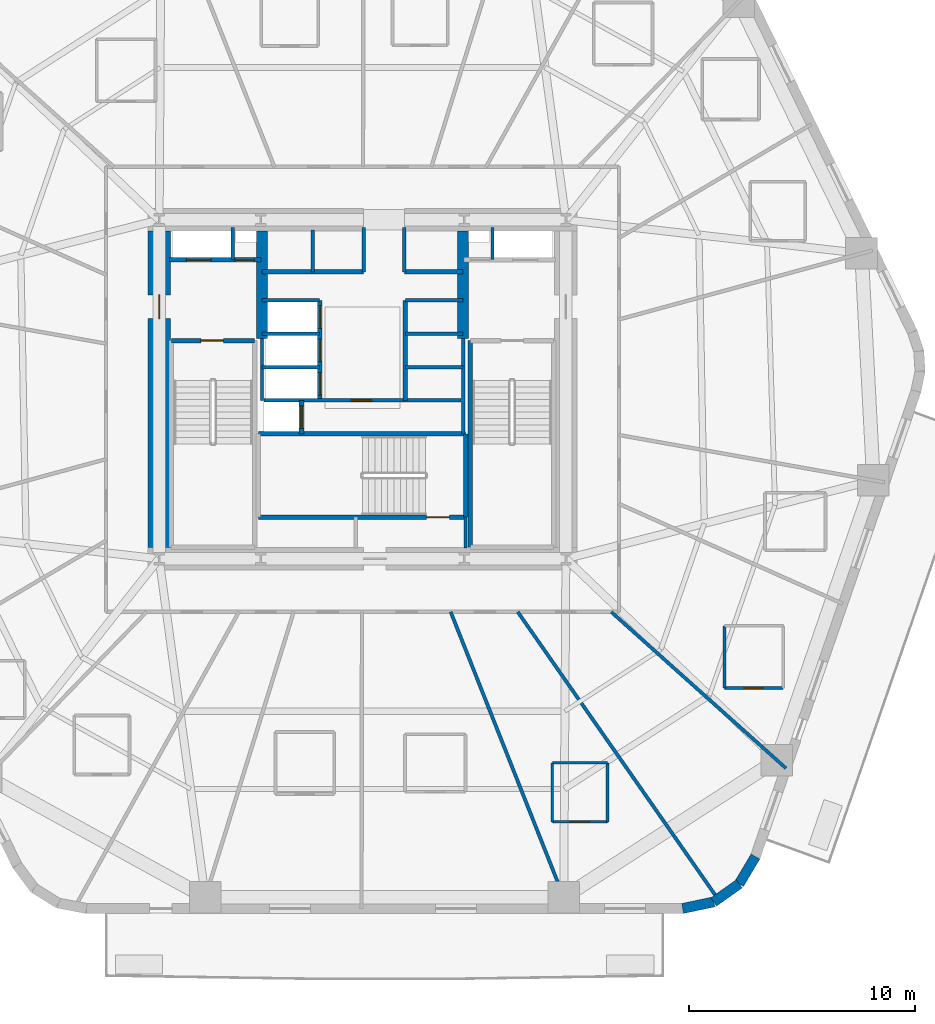
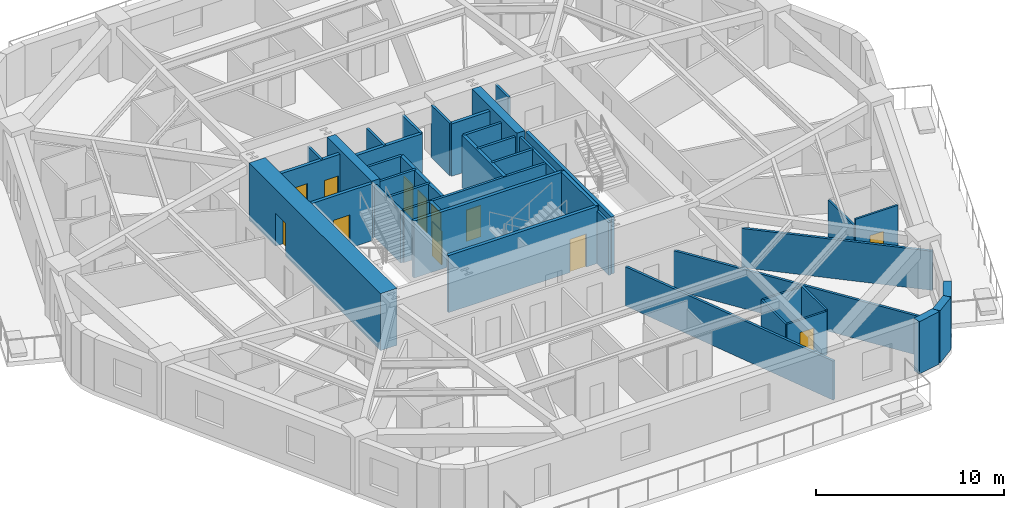
# One storey, part 4 of 11: 41 walls, 12 doors, 12 openings.
"""IFC4 building model written with IfcOpenShell, lengths in metres."""

from ifc_helpers import new_model, si_unit, direction, frame, frame_2d, origin, place, context, subcontext, project, spatial, rectangle, extrude, material, layer, layer_set, type_object, element, fill, save


model = new_model("IFC4")

# Units and contexts
model_context = context("Model", 3, precision=1e-05, world=origin(), true_north=direction((0.0, 1.0)))
body_context = subcontext(model_context, "Body", "Model", "MODEL_VIEW")
ifc_project = project(units=[si_unit("LENGTHUNIT", "METRE"), si_unit("AREAUNIT", "SQUARE_METRE"), si_unit("VOLUMEUNIT", "CUBIC_METRE"), si_unit("PLANEANGLEUNIT", "RADIAN"), si_unit("MASSUNIT", "GRAM", prefix="KILO")], contexts=[model_context])

# Site, building, storey
site_placement = place(None, origin())
site = spatial("IfcSite", under=ifc_project, at=site_placement, CompositionType="ELEMENT")
building_placement = place(site_placement, origin())
building = spatial("IfcBuilding", under=site, at=building_placement, Name="Kilnhurst Terrace Hotel", CompositionType="ELEMENT")
storey_placement = place(building_placement, frame((0.0, 0.0, 41.60009765625)))
storey = spatial("IfcBuildingStorey", under=building, at=storey_placement, Name="L08", CompositionType="ELEMENT", Elevation=41.60009765625)

# Walls
ifc_material_1 = material(Name="Precast concrete C40/50", Category="concrete")
ifc_layer_1 = layer(ifc_material_1, 0.449951171875, Name="Precast concrete C40/50")
ifc_layer_set_1 = layer_set([ifc_layer_1], Name="Precast concrete C40/50")
wall_type_1 = type_object("IfcWallType", Name="WL-BRK-450", PredefinedType="SOLIDWALL", material=ifc_layer_set_1)
wall_1_placement = place(storey_placement, frame((14.168212890625, -22.97509765625, 0.0), z_axis=(0.0, 0.0, 1.0), x_axis=(0.978770371074, 0.204959900243, 0.0)))
element("IfcWall", 1, at=wall_1_placement, inside=storey, type_object=wall_type_1, Name="L08 Rounded Corner Brick Wall C2.1", PredefinedType="SOLIDWALL", context=body_context, shape_type="SweptSolid", body=[
    extrude(rectangle(XDim=1.405517578125, YDim=0.449951171875, at=frame_2d((0.70263671875, 0.0))), origin(), (0.0, 0.0, 1.0), 3.39990234375),
])
wall_2_placement = place(storey_placement, frame((15.5439453125, -22.68701171875, 0.0), z_axis=(0.0, 0.0, 1.0), x_axis=(0.814210854316, 0.580569276412, 0.0)))
element("IfcWall", 2, at=wall_2_placement, inside=storey, type_object=wall_type_1, Name="L08 Rounded Corner Brick Wall C2.2", PredefinedType="SOLIDWALL", context=body_context, shape_type="SweptSolid", body=[
    extrude(rectangle(XDim=1.38134765625, YDim=0.449951171875, at=frame_2d((0.690673828125, 0.0))), origin(), (0.0, 0.0, 1.0), 3.39990234375),
])
wall_3_placement = place(storey_placement, frame((16.668701171875, -21.885009765625, 0.0), z_axis=(0.0, 0.0, 1.0), x_axis=(0.512936712947, 0.858426425799, 0.0)))
element("IfcWall", 3, at=wall_3_placement, inside=storey, type_object=wall_type_1, Name="L08 Rounded Corner Brick Wall C2.3", PredefinedType="SOLIDWALL", context=body_context, shape_type="SweptSolid", body=[
    extrude(rectangle(XDim=1.405517578125, YDim=0.449951171875, at=frame_2d((0.70263671875, 0.0))), origin(), (0.0, 0.0, 1.0), 3.39990234375),
])

# Wall, opening, door
ifc_material_2 = material(Name="Concrete C80/95", Category="concrete")
ifc_layer_2 = layer(ifc_material_2, 1.0, Name="Concrete C80/95")
ifc_layer_set_2 = layer_set([ifc_layer_2], Name="Concrete C80/95")
wall_type_2 = type_object("IfcWallType", Name="WL-CORE-1000", PredefinedType="SHEAR", material=ifc_layer_set_2)
wall_4_placement = place(storey_placement, frame((-9.0, -7.0, 0.0), z_axis=(0.0, 0.0, 1.0), x_axis=(0.0, 1.0, 0.0)))
wall_4 = element("IfcWall", 4, at=wall_4_placement, inside=storey, type_object=wall_type_2, Name="L08 Core West Shear Wall", PredefinedType="SHEAR", context=body_context, shape_type="SweptSolid", body=[
    extrude(rectangle(XDim=14.0, YDim=1.0, at=frame_2d((7.0, 0.0))), origin(), (0.0, 0.0, 1.0), 3.699951171875),
])
opening_1_placement = place(wall_4_placement, frame((10.125, 0.0, 0.0)))
opening_1 = element("IfcOpeningElement", 5, at=opening_1_placement, cuts=wall_4, Name="Opening D-90A", PredefinedType="OPENING", context=body_context, shape_type="SweptSolid", body=[
    extrude(rectangle(XDim=1.050048828125, YDim=2.14990234375, at=frame_2d((0.52490234375, 1.074951171875))), frame((0.0, 0.510009765625, 0.0), z_axis=(0.0, -1.0, 0.0), x_axis=(1.0, 0.0, 0.0)), (0.0, 0.0, 1.0), 1.02001953125),
])
ifc_material_3 = material(Name="Painted Hollow Metal Steel ASTM A36 Fire Door", Category="steel")
door_type_1 = type_object("IfcDoorType", Name="DR-FD90-1050", OperationType="NOTDEFINED", PredefinedType="DOOR", material=ifc_material_3)
door_1_placement = place(opening_1_placement, origin())
door_1 = element("IfcDoor", 6, at=door_1_placement, inside=storey, type_object=door_type_1, Name="L08 West Firefighting Lobby Door", OperationType="SINGLE_SWING_RIGHT", OverallHeight=2.14990234375, OverallWidth=1.050048828125, PredefinedType="DOOR", context=body_context, shape_type="SweptSolid", body=[
    extrude(rectangle(XDim=1.050048828125, YDim=2.14990234375, at=frame_2d((0.52490234375, 1.074951171875))), frame((0.0, 0.02490234375, 0.0), z_axis=(0.0, -1.0, 0.0), x_axis=(1.0, 0.0, 0.0)), (0.0, 0.0, 1.0), 0.050048828125),
])
fill(opening_1, door_1)

# Walls
ifc_material_4 = material(Name="Concrete C60/75", Category="concrete")
ifc_layer_3 = layer(ifc_material_4, 0.5, Name="Concrete C60/75")
ifc_layer_set_3 = layer_set([ifc_layer_3], Name="Concrete C60/75")
wall_type_3 = type_object("IfcWallType", Name="WL-CORE-WEB-500", PredefinedType="SHEAR", material=ifc_layer_set_3)
for number, where, z_axis, x_axis, name in (
    (7, (-4.449951171875, 2.25, 0.0), (0.0, 0.0, 1.0), (0.0, 1.0, 0.0), "L08 Core Internal West Shear Web"),
    (8, (4.449951171875, 2.25, 0.0), (0.0, 0.0, 1.0), (0.0, 1.0, 0.0), "L08 Core Internal East Shear Web"),
):
    element("IfcWall", number, at=place(storey_placement, frame(where, z_axis=z_axis, x_axis=x_axis)), inside=storey, type_object=wall_type_3, Name=name, PredefinedType="SHEAR", context=body_context, shape_type="SweptSolid", body=[
        extrude(rectangle(XDim=4.75, YDim=0.5, at=frame_2d((2.375, 0.0))), origin(), (0.0, 0.0, 1.0), 3.699951171875),
    ])
ifc_material_5 = material(Name="STC-58 Acoustic Twin-Frame Guestroom Demising Partition")
ifc_layer_4 = layer(ifc_material_5, 0.14990234375, Name="STC-58 Acoustic Twin-Frame Guestroom Demising Partition")
ifc_layer_set_4 = layer_set([ifc_layer_4], Name="STC-58 Acoustic Twin-Frame Guestroom Demising Partition")
wall_type_4 = type_object("IfcWallType", Name="WL-DEM-150", PredefinedType="PARTITIONING", material=ifc_layer_set_4)
wall_5_placement = place(storey_placement, frame((3.90185546875, -9.85009765625, 0.0), z_axis=(0.0, 0.0, 1.0), x_axis=(0.36828765711, -0.929711891728, 0.0)))
element("IfcWall", 9, at=wall_5_placement, inside=storey, type_object=wall_type_4, Name="L08 Interior Wall WL-L08-DEM-COL10-17-1", PredefinedType="PARTITIONING", context=body_context, shape_type="SweptSolid", body=[
    extrude(rectangle(XDim=14.1171875, YDim=0.14990234375, at=frame_2d((7.05859375, 0.0))), origin(), (0.0, 0.0, 1.0), 2.539794921875),
])
wall_6_placement = place(storey_placement, frame((6.869384765625, -9.85009765625, 0.0), z_axis=(0.0, 0.0, 1.0), x_axis=(0.572039834497, -0.820225839479, 0.0)))
element("IfcWall", 10, at=wall_6_placement, inside=storey, type_object=wall_type_4, Name="L08 Interior Wall WL-L08-DEM-MID10-18-1", PredefinedType="PARTITIONING", context=body_context, shape_type="SweptSolid", body=[
    extrude(rectangle(XDim=15.3291015625, YDim=0.14990234375, at=frame_2d((7.66455078125, 0.0))), origin(), (0.0, 0.0, 1.0), 2.539794921875),
])
wall_7_placement = place(storey_placement, frame((11.006591796875, -9.85009765625, 0.0), z_axis=(0.0, 0.0, 1.0), x_axis=(0.745177305978, -0.666866390407, 0.0)))
element("IfcWall", 11, at=wall_7_placement, inside=storey, type_object=wall_type_4, Name="L08 Interior Wall WL-L08-DEM-COL11-19-1", PredefinedType="PARTITIONING", context=body_context, shape_type="SweptSolid", body=[
    extrude(rectangle(XDim=10.375244140625, YDim=0.14990234375, at=frame_2d((5.1875, 0.0))), origin(), (0.0, 0.0, 1.0), 2.539794921875),
])

# Wall, opening, door
ifc_material_6 = material(Name="120 mm Moisture-Resistant Tile-Backed Bathroom Partition")
ifc_layer_5 = layer(ifc_material_6, 0.1201171875, Name="120 mm Moisture-Resistant Tile-Backed Bathroom Partition")
ifc_layer_set_5 = layer_set([ifc_layer_5], Name="120 mm Moisture-Resistant Tile-Backed Bathroom Partition")
wall_type_5 = type_object("IfcWallType", Name="WL-PART-120", PredefinedType="PARTITIONING", material=ifc_layer_set_5)
wall_8_placement = place(storey_placement, frame((8.39697265625, -19.14208984375, 0.0), z_axis=(0.0, 0.0, 1.0), x_axis=(1.0, 0.0, 0.0)))
wall_8 = element("IfcWall", 12, at=wall_8_placement, inside=storey, type_object=wall_type_5, Name="L08 Interior Wall WL-L08-BTH-17-1", PredefinedType="PARTITIONING", context=body_context, shape_type="SweptSolid", body=[
    extrude(rectangle(XDim=2.43994140625, YDim=0.1201171875, at=frame_2d((1.219970703125, 0.0))), origin(), (0.0, 0.0, 1.0), 2.83984375),
])
opening_2_placement = place(wall_8_placement, frame((0.794921875, 0.0, 0.0)))
opening_2 = element("IfcOpeningElement", 13, at=opening_2_placement, cuts=wall_8, Name="Opening D-08A", PredefinedType="OPENING", context=body_context, shape_type="SweptSolid", body=[
    extrude(rectangle(XDim=0.85009765625, YDim=2.030029296875, at=frame_2d((0.425048828125, 1.01513671875))), frame((0.0, 0.070068359375, 0.0), z_axis=(0.0, -1.0, 0.0), x_axis=(1.0, 0.0, 0.0)), (0.0, 0.0, 1.0), 0.14013671875),
])
ifc_material_7 = material(Name="Moisture-Resistant Lacquered En-suite Bathroom Door")
door_type_2 = type_object("IfcDoorType", Name="DR-INT-850", OperationType="NOTDEFINED", PredefinedType="DOOR", material=ifc_material_7)
door_2_placement = place(opening_2_placement, origin())
door_2 = element("IfcDoor", 14, at=door_2_placement, inside=storey, type_object=door_type_2, Name="L08 En-suite Bathroom Door 17", OperationType="SINGLE_SWING_RIGHT", OverallHeight=2.030029296875, OverallWidth=0.85009765625, PredefinedType="DOOR", context=body_context, shape_type="SweptSolid", body=[
    extrude(rectangle(XDim=0.85009765625, YDim=2.030029296875, at=frame_2d((0.425048828125, 1.01513671875))), frame((0.0, 0.02490234375, 0.0), z_axis=(0.0, -1.0, 0.0), x_axis=(1.0, 0.0, 0.0)), (0.0, 0.0, 1.0), 0.050048828125),
])
fill(opening_2, door_2)

# Walls
wall_9_placement = place(storey_placement, frame((10.8369140625, -19.14208984375, 0.0), z_axis=(0.0, 0.0, 1.0), x_axis=(0.0, 1.0, 0.0)))
element("IfcWall", 15, at=wall_9_placement, inside=storey, type_object=wall_type_5, Name="L08 Interior Wall WL-L08-BTH-17-2", PredefinedType="PARTITIONING", context=body_context, shape_type="SweptSolid", body=[
    extrude(rectangle(XDim=2.610107421875, YDim=0.1201171875, at=frame_2d((1.30517578125, 0.0))), origin(), (0.0, 0.0, 1.0), 2.926513671875),
])
wall_10_placement = place(storey_placement, frame((10.8369140625, -16.531982421875, 0.0), z_axis=(0.0, 0.0, 1.0), x_axis=(-1.0, 0.0, 0.0)))
element("IfcWall", 16, at=wall_10_placement, inside=storey, type_object=wall_type_5, Name="L08 Interior Wall WL-L08-BTH-17-3", PredefinedType="PARTITIONING", context=body_context, shape_type="SweptSolid", body=[
    extrude(rectangle(XDim=2.43994140625, YDim=0.1201171875, at=frame_2d((1.219970703125, 0.0))), origin(), (0.0, 0.0, 1.0), 2.83984375),
])
wall_11_placement = place(storey_placement, frame((8.39697265625, -16.531982421875, 0.0), z_axis=(0.0, 0.0, 1.0), x_axis=(0.0, -1.0, 0.0)))
element("IfcWall", 17, at=wall_11_placement, inside=storey, type_object=wall_type_5, Name="L08 Interior Wall WL-L08-BTH-17-4", PredefinedType="PARTITIONING", context=body_context, shape_type="SweptSolid", body=[
    extrude(rectangle(XDim=2.610107421875, YDim=0.1201171875, at=frame_2d((1.30517578125, 0.0))), origin(), (0.0, 0.0, 1.0), 2.84033203125),
])

# Wall, opening, door
wall_12_placement = place(storey_placement, frame((16.01904296875, -13.218994140625, 0.0), z_axis=(0.0, 0.0, 1.0), x_axis=(1.0, 0.0, 0.0)))
wall_12 = element("IfcWall", 18, at=wall_12_placement, inside=storey, type_object=wall_type_5, Name="L08 Interior Wall WL-L08-BTH-19-1", PredefinedType="PARTITIONING", context=body_context, shape_type="SweptSolid", body=[
    extrude(rectangle(XDim=2.599853515625, YDim=0.1201171875, at=frame_2d((1.2998046875, 0.0))), origin(), (0.0, 0.0, 1.0), 3.39990234375),
])
opening_3_placement = place(wall_12_placement, frame((0.875, 0.0, 0.0)))
opening_3 = element("IfcOpeningElement", 19, at=opening_3_placement, cuts=wall_12, Name="Opening D-08A", PredefinedType="OPENING", context=body_context, shape_type="SweptSolid", body=[
    extrude(rectangle(XDim=0.85009765625, YDim=2.030029296875, at=frame_2d((0.425048828125, 1.01513671875))), frame((0.0, 0.070068359375, 0.0), z_axis=(0.0, -1.0, 0.0), x_axis=(1.0, 0.0, 0.0)), (0.0, 0.0, 1.0), 0.14013671875),
])
door_3_placement = place(opening_3_placement, origin())
door_3 = element("IfcDoor", 20, at=door_3_placement, inside=storey, type_object=door_type_2, Name="L08 En-suite Bathroom Door 19", OperationType="SINGLE_SWING_RIGHT", OverallHeight=2.030029296875, OverallWidth=0.85009765625, PredefinedType="DOOR", context=body_context, shape_type="SweptSolid", body=[
    extrude(rectangle(XDim=0.85009765625, YDim=2.030029296875, at=frame_2d((0.425048828125, 1.01513671875))), frame((0.0, 0.02490234375, 0.0), z_axis=(0.0, -1.0, 0.0), x_axis=(1.0, 0.0, 0.0)), (0.0, 0.0, 1.0), 0.050048828125),
])
fill(opening_3, door_3)

# Walls
wall_13_placement = place(storey_placement, frame((16.01904296875, -10.468994140625, 0.0), z_axis=(0.0, 0.0, 1.0), x_axis=(0.0, -1.0, 0.0)))
element("IfcWall", 21, at=wall_13_placement, inside=storey, type_object=wall_type_5, Name="L08 Interior Wall WL-L08-BTH-19-4", PredefinedType="PARTITIONING", context=body_context, shape_type="SweptSolid", body=[
    extrude(rectangle(XDim=2.75, YDim=0.1201171875, at=frame_2d((1.375, 0.0))), origin(), (0.0, 0.0, 1.0), 2.972412109375),
])
ifc_material_8 = material(Name="Fire-Rated Gypsum Shaftliner Assembly")
ifc_layer_6 = layer(ifc_material_8, 0.14990234375, Name="Fire-Rated Gypsum Shaftliner Assembly")
ifc_layer_set_6 = layer_set([ifc_layer_6], Name="Fire-Rated Gypsum Shaftliner Assembly")
wall_type_6 = type_object("IfcWallType", Name="WL-SHAFT-150", PredefinedType="PARTITIONING", material=ifc_layer_set_6)
wall_14_placement = place(storey_placement, frame((4.55810546875, -7.02001953125, 0.0), z_axis=(0.0, 0.0, 1.0), x_axis=(0.0, 1.0, 0.0)))
element("IfcWall", 22, at=wall_14_placement, inside=storey, type_object=wall_type_6, Name="L08 Interior Wall WL-L08-ST3-PSGE", PredefinedType="PARTITIONING", context=body_context, shape_type="SweptSolid", body=[
    extrude(rectangle(XDim=1.362060546875, YDim=0.14990234375, at=frame_2d((0.68115234375, 0.0))), origin(), (0.0, 0.0, 1.0), 3.39990234375),
])
for number, where, z_axis, x_axis, name in (
    (23, (-5.75, 5.739990234375, 0.0), (0.0, 0.0, 1.0), (0.0, 1.0, 0.0), "L08 Interior Wall WL-L08-RIS1-DIV"),
    (24, (5.75, 5.739990234375, 0.0), (0.0, 0.0, 1.0), (0.0, 1.0, 0.0), "L08 Interior Wall WL-L08-RIS2-DIV"),
):
    element("IfcWall", number, at=place(storey_placement, frame(where, z_axis=z_axis, x_axis=x_axis)), inside=storey, type_object=wall_type_6, Name=name, PredefinedType="PARTITIONING", context=body_context, shape_type="SweptSolid", body=[
        extrude(rectangle(XDim=1.409912109375, YDim=0.14990234375, at=frame_2d((0.705078125, 0.0))), origin(), (0.0, 0.0, 1.0), 3.39990234375),
    ])
wall_15_placement = place(storey_placement, frame((-2.199951171875, 5.199951171875, 0.0), z_axis=(0.0, 0.0, 1.0), x_axis=(0.0, 1.0, 0.0)))
element("IfcWall", 25, at=wall_15_placement, inside=storey, type_object=wall_type_6, Name="L08 Interior Wall WL-L08-HR-DIV1", PredefinedType="PARTITIONING", context=body_context, shape_type="SweptSolid", body=[
    extrude(rectangle(XDim=1.85009765625, YDim=0.14990234375, at=frame_2d((0.925048828125, 0.0))), origin(), (0.0, 0.0, 1.0), 3.39990234375),
])
for number, where, z_axis, x_axis, name in (
    (26, (0.050048828125, 5.199951171875, 0.0), (0.0, 0.0, 1.0), (0.0, 1.0, 0.0), "L08 Interior Wall WL-L08-HR-PORTAL-W"),
    (27, (1.85009765625, 5.199951171875, 0.0), (0.0, 0.0, 1.0), (0.0, 1.0, 0.0), "L08 Interior Wall WL-L08-HR-PORTAL-E"),
):
    element("IfcWall", number, at=place(storey_placement, frame(where, z_axis=z_axis, x_axis=x_axis)), inside=storey, type_object=wall_type_6, Name=name, PredefinedType="PARTITIONING", context=body_context, shape_type="SweptSolid", body=[
        extrude(rectangle(XDim=1.949951171875, YDim=0.14990234375, at=frame_2d((0.97509765625, 0.0))), origin(), (0.0, 0.0, 1.0), 3.39990234375),
    ])
wall_16_placement = place(storey_placement, frame((-4.449951171875, -0.5, 0.0), z_axis=(0.0, 0.0, 1.0), x_axis=(0.0, 1.0, 0.0)))
element("IfcWall", 28, at=wall_16_placement, inside=storey, type_object=wall_type_6, Name="L08 Interior Wall WL-L08-XLOB-W", PredefinedType="PARTITIONING", context=body_context, shape_type="SweptSolid", body=[
    extrude(rectangle(XDim=2.75, YDim=0.14990234375, at=frame_2d((1.375, 0.0))), origin(), (0.0, 0.0, 1.0), 3.39990234375),
])
wall_17_placement = place(storey_placement, frame((4.449951171875, -1.971923828125, 0.0), z_axis=(0.0, 0.0, 1.0), x_axis=(0.0, 1.0, 0.0)))
element("IfcWall", 29, at=wall_17_placement, inside=storey, type_object=wall_type_6, Name="L08 Interior Wall WL-L08-XLOB-E", PredefinedType="PARTITIONING", context=body_context, shape_type="SweptSolid", body=[
    extrude(rectangle(XDim=4.221923828125, YDim=0.14990234375, at=frame_2d((2.11083984375, 0.0))), origin(), (0.0, 0.0, 1.0), 3.39990234375),
])
for number, where, z_axis, x_axis, name in (
    (30, (-4.449951171875, 3.93994140625, 0.0), (0.0, 0.0, 1.0), (1.0, 0.0, 0.0), "L08 Interior Wall WL-L08-LR-NORTH"),
    (31, (-4.449951171875, 0.97998046875, 0.0), (0.0, 0.0, 1.0), (1.0, 0.0, 0.0), "L08 Interior Wall WL-L08-LR-D1"),
    (32, (-4.449951171875, 2.4599609375, 0.0), (0.0, 0.0, 1.0), (1.0, 0.0, 0.0), "L08 Interior Wall WL-L08-LR-D2"),
    (33, (1.89990234375, 3.93994140625, 0.0), (0.0, 0.0, 1.0), (1.0, 0.0, 0.0), "L08 Interior Wall WL-L08-MR-NORTH"),
    (34, (1.89990234375, 0.97998046875, 0.0), (0.0, 0.0, 1.0), (1.0, 0.0, 0.0), "L08 Interior Wall WL-L08-MR-D1"),
    (35, (1.89990234375, 2.4599609375, 0.0), (0.0, 0.0, 1.0), (1.0, 0.0, 0.0), "L08 Interior Wall WL-L08-MR-D2"),
):
    element("IfcWall", number, at=place(storey_placement, frame(where, z_axis=z_axis, x_axis=x_axis)), inside=storey, type_object=wall_type_6, Name=name, PredefinedType="PARTITIONING", context=body_context, shape_type="SweptSolid", body=[
        extrude(rectangle(XDim=2.550048828125, YDim=0.14990234375, at=frame_2d((1.27490234375, 0.0))), origin(), (0.0, 0.0, 1.0), 3.39990234375),
    ])

# Wall, opening, door
wall_18_placement = place(storey_placement, frame((-4.360107421875, -0.489990234375, 0.0), z_axis=(0.0, 0.0, 1.0), x_axis=(1.0, 0.0, 0.0)))
wall_18 = element("IfcWall", 36, at=wall_18_placement, inside=storey, type_object=wall_type_6, Name="L08 Interior Wall WL-L08-BOH-N", PredefinedType="PARTITIONING", context=body_context, shape_type="SweptSolid", body=[
    extrude(rectangle(XDim=8.72021484375, YDim=0.14990234375, at=frame_2d((4.360107421875, 0.0))), origin(), (0.0, 0.0, 1.0), 3.39990234375),
])
opening_4_placement = place(wall_18_placement, frame((3.860107421875, 0.0, 0.0)))
opening_4 = element("IfcOpeningElement", 37, at=opening_4_placement, cuts=wall_18, Name="Opening D-60C", PredefinedType="OPENING", context=body_context, shape_type="SweptSolid", body=[
    extrude(rectangle(XDim=0.89990234375, YDim=2.030029296875, at=frame_2d((0.449951171875, 1.01513671875))), frame((0.0, 0.0849609375, 0.0), z_axis=(0.0, -1.0, 0.0), x_axis=(1.0, 0.0, 0.0)), (0.0, 0.0, 1.0), 0.169921875),
])
ifc_material_9 = material(Name="Painted Solid-Core Service Fire Door")
door_type_3 = type_object("IfcDoorType", Name="DR-FD60-900", OperationType="NOTDEFINED", PredefinedType="DOOR", material=ifc_material_9)
door_4_placement = place(opening_4_placement, origin())
door_4 = element("IfcDoor", 38, at=door_4_placement, inside=storey, type_object=door_type_3, Name="L08 Housekeeping Laundry Door", OperationType="SINGLE_SWING_LEFT", OverallHeight=2.030029296875, OverallWidth=0.89990234375, PredefinedType="DOOR", context=body_context, shape_type="SweptSolid", body=[
    extrude(rectangle(XDim=0.89990234375, YDim=2.030029296875, at=frame_2d((0.449951171875, 1.01513671875))), frame((0.0, 0.02490234375, 0.0), z_axis=(0.0, -1.0, 0.0), x_axis=(1.0, 0.0, 0.0)), (0.0, 0.0, 1.0), 0.050048828125),
])
fill(opening_4, door_4)

# Wall, openings, doors
ifc_material_10 = material(Name="Autoclaved Aerated Concrete C30/37 and Gypsum Shaft Assembly", Category="concrete")
ifc_layer_7 = layer(ifc_material_10, 0.199951171875, Name="Autoclaved Aerated Concrete C30/37 and Gypsum Shaft Assembly")
ifc_layer_set_7 = layer_set([ifc_layer_7], Name="Autoclaved Aerated Concrete C30/37 and Gypsum Shaft Assembly")
wall_type_7 = type_object("IfcWallType", Name="WL-SHAFT-200", PredefinedType="PARTITIONING", material=ifc_layer_set_7)
wall_19_placement = place(storey_placement, frame((-8.550048828125, 5.739990234375, 0.0), z_axis=(0.0, 0.0, 1.0), x_axis=(1.0, 0.0, 0.0)))
wall_19 = element("IfcWall", 39, at=wall_19_placement, inside=storey, type_object=wall_type_7, Name="L08 Interior Wall WL-L08-FSAE1-S", PredefinedType="PARTITIONING", context=body_context, shape_type="SweptSolid", body=[
    extrude(rectangle(XDim=4.050048828125, YDim=0.199951171875, at=frame_2d((2.02490234375, 0.0))), origin(), (0.0, 0.0, 1.0), 3.39990234375),
])
opening_5_placement = place(wall_19_placement, frame((0.75, 0.0, 0.0)))
opening_5 = element("IfcOpeningElement", 40, at=opening_5_placement, cuts=wall_19, Name="Opening LD-F1", PredefinedType="OPENING", context=body_context, shape_type="SweptSolid", body=[
    extrude(rectangle(XDim=1.10009765625, YDim=2.199951171875, at=frame_2d((0.550048828125, 1.10009765625))), frame((0.0, 0.10986328125, 0.0), z_axis=(0.0, -1.0, 0.0), x_axis=(1.0, 0.0, 0.0)), (0.0, 0.0, 1.0), 0.219970703125),
])
opening_6_placement = place(wall_19_placement, frame((2.89990234375, 0.0, 0.0)))
opening_6 = element("IfcOpeningElement", 41, at=opening_6_placement, cuts=wall_19, Name="Opening D-60D", PredefinedType="OPENING", context=body_context, shape_type="SweptSolid", body=[
    extrude(rectangle(XDim=0.85009765625, YDim=2.030029296875, at=frame_2d((0.425048828125, 1.01513671875))), frame((0.0, 0.10986328125, 0.0), z_axis=(0.0, -1.0, 0.0), x_axis=(1.0, 0.0, 0.0)), (0.0, 0.0, 1.0), 0.219970703125),
])
ifc_material_11 = material(Name="Painted Hollow Metal Steel ASTM A36 Riser Door", Category="steel")
door_type_4 = type_object("IfcDoorType", Name="DR-FD60-850", OperationType="NOTDEFINED", PredefinedType="DOOR", material=ifc_material_11)
door_5_placement = place(opening_6_placement, origin())
door_5 = element("IfcDoor", 42, at=door_5_placement, inside=storey, type_object=door_type_4, Name="L08 Electrical Riser Door", OperationType="SINGLE_SWING_LEFT", OverallHeight=2.030029296875, OverallWidth=0.85009765625, PredefinedType="DOOR", context=body_context, shape_type="SweptSolid", body=[
    extrude(rectangle(XDim=0.85009765625, YDim=2.030029296875, at=frame_2d((0.425048828125, 1.01513671875))), frame((0.0, 0.02490234375, 0.0), z_axis=(0.0, -1.0, 0.0), x_axis=(1.0, 0.0, 0.0)), (0.0, 0.0, 1.0), 0.050048828125),
])
fill(opening_6, door_5)
ifc_material_12 = material(Name="Bronze-Anodized Stainless Steel AISI 316L Sliding Door", Category="steel")
door_type_5 = type_object("IfcDoorType", Name="DR-LIFT-1100", OperationType="NOTDEFINED", PredefinedType="DOOR", material=ifc_material_12)
door_6_placement = place(opening_5_placement, origin())
door_6 = element("IfcDoor", 43, at=door_6_placement, inside=storey, type_object=door_type_5, Name="L08 FSAE-1 Landing Door", OperationType="SLIDING_TO_LEFT", OverallHeight=2.199951171875, OverallWidth=1.10009765625, PredefinedType="DOOR", context=body_context, shape_type="SweptSolid", body=[
    extrude(rectangle(XDim=1.10009765625, YDim=2.199951171875, at=frame_2d((0.550048828125, 1.10009765625))), frame((0.0, 0.02490234375, 0.0), z_axis=(0.0, -1.0, 0.0), x_axis=(1.0, 0.0, 0.0)), (0.0, 0.0, 1.0), 0.050048828125),
])
fill(opening_5, door_6)

# Wall, opening, door
wall_20_placement = place(storey_placement, frame((-2.699951171875, -1.971923828125, 0.0), z_axis=(0.0, 0.0, 1.0), x_axis=(0.0, 1.0, 0.0)))
wall_20 = element("IfcWall", 44, at=wall_20_placement, inside=storey, type_object=wall_type_7, Name="L08 Interior Wall WL-L08-SRV1-E", PredefinedType="PARTITIONING", context=body_context, shape_type="SweptSolid", body=[
    extrude(rectangle(XDim=1.471923828125, YDim=0.199951171875, at=frame_2d((0.73583984375, 0.0))), origin(), (0.0, 0.0, 1.0), 3.39990234375),
])
opening_7_placement = place(wall_20_placement, frame((0.239990234375, 0.0, 0.0)))
opening_7 = element("IfcOpeningElement", 45, at=opening_7_placement, cuts=wall_20, Name="Opening LD-SV", PredefinedType="OPENING", context=body_context, shape_type="SweptSolid", body=[
    extrude(rectangle(XDim=1.0, YDim=2.199951171875, at=frame_2d((0.5, 1.10009765625))), frame((0.0, 0.10986328125, 0.0), z_axis=(0.0, -1.0, 0.0), x_axis=(1.0, 0.0, 0.0)), (0.0, 0.0, 1.0), 0.219970703125),
])
door_type_6 = type_object("IfcDoorType", Name="DR-LIFT-1000", OperationType="NOTDEFINED", PredefinedType="DOOR", material=ifc_material_12)
door_7_placement = place(opening_7_placement, origin())
door_7 = element("IfcDoor", 46, at=door_7_placement, inside=storey, type_object=door_type_6, Name="L08 Service Lift SRV-1 Landing Door", OperationType="SLIDING_TO_LEFT", OverallHeight=2.199951171875, OverallWidth=1.0, PredefinedType="DOOR", context=body_context, shape_type="SweptSolid", body=[
    extrude(rectangle(XDim=1.0, YDim=2.199951171875, at=frame_2d((0.5, 1.10009765625))), frame((0.0, 0.02490234375, 0.0), z_axis=(0.0, -1.0, 0.0), x_axis=(1.0, 0.0, 0.0)), (0.0, 0.0, 1.0), 0.050048828125),
])
fill(opening_7, door_7)

# Walls
wall_21_placement = place(storey_placement, frame((-4.449951171875, 5.199951171875, 0.0), z_axis=(0.0, 0.0, 1.0), x_axis=(1.0, 0.0, 0.0)))
element("IfcWall", 47, at=wall_21_placement, inside=storey, type_object=wall_type_7, Name="L08 Interior Wall WL-L08-HR-SW", PredefinedType="PARTITIONING", context=body_context, shape_type="SweptSolid", body=[
    extrude(rectangle(XDim=4.5, YDim=0.199951171875, at=frame_2d((2.25, 0.0))), origin(), (0.0, 0.0, 1.0), 3.39990234375),
])
wall_22_placement = place(storey_placement, frame((1.85009765625, 5.199951171875, 0.0), z_axis=(0.0, 0.0, 1.0), x_axis=(1.0, 0.0, 0.0)))
element("IfcWall", 48, at=wall_22_placement, inside=storey, type_object=wall_type_7, Name="L08 Interior Wall WL-L08-HR-SE", PredefinedType="PARTITIONING", context=body_context, shape_type="SweptSolid", body=[
    extrude(rectangle(XDim=2.599853515625, YDim=0.199951171875, at=frame_2d((1.2998046875, 0.0))), origin(), (0.0, 0.0, 1.0), 3.39990234375),
])

# Wall, openings, doors
wall_23_placement = place(storey_placement, frame((-1.89990234375, -0.5, 0.0), z_axis=(0.0, 0.0, 1.0), x_axis=(0.0, 1.0, 0.0)))
wall_23 = element("IfcWall", 49, at=wall_23_placement, inside=storey, type_object=wall_type_7, Name="L08 Interior Wall WL-L08-LR-FRONT", PredefinedType="PARTITIONING", context=body_context, shape_type="SweptSolid", body=[
    extrude(rectangle(XDim=4.43994140625, YDim=0.199951171875, at=frame_2d((2.219970703125, 0.0))), origin(), (0.0, 0.0, 1.0), 3.39990234375),
])
opening_8_placement = place(wall_23_placement, frame((0.239990234375, 0.0, 0.0)))
opening_8 = element("IfcOpeningElement", 50, at=opening_8_placement, cuts=wall_23, Name="Opening LD-LR", PredefinedType="OPENING", context=body_context, shape_type="SweptSolid", body=[
    extrude(rectangle(XDim=1.0, YDim=2.199951171875, at=frame_2d((0.5, 1.10009765625))), frame((0.0, 0.10986328125, 0.0), z_axis=(0.0, -1.0, 0.0), x_axis=(1.0, 0.0, 0.0)), (0.0, 0.0, 1.0), 0.219970703125),
])
opening_9_placement = place(wall_23_placement, frame((1.719970703125, 0.0, 0.0)))
opening_9 = element("IfcOpeningElement", 51, at=opening_9_placement, cuts=wall_23, Name="Opening LD-LR", PredefinedType="OPENING", context=body_context, shape_type="SweptSolid", body=[
    extrude(rectangle(XDim=1.0, YDim=2.199951171875, at=frame_2d((0.5, 1.10009765625))), frame((0.0, 0.10986328125, 0.0), z_axis=(0.0, -1.0, 0.0), x_axis=(1.0, 0.0, 0.0)), (0.0, 0.0, 1.0), 0.219970703125),
])
opening_10_placement = place(wall_23_placement, frame((3.199951171875, 0.0, 0.0)))
opening_10 = element("IfcOpeningElement", 52, at=opening_10_placement, cuts=wall_23, Name="Opening LD-LR", PredefinedType="OPENING", context=body_context, shape_type="SweptSolid", body=[
    extrude(rectangle(XDim=1.0, YDim=2.199951171875, at=frame_2d((0.5, 1.10009765625))), frame((0.0, 0.10986328125, 0.0), z_axis=(0.0, -1.0, 0.0), x_axis=(1.0, 0.0, 0.0)), (0.0, 0.0, 1.0), 0.219970703125),
])
door_8_placement = place(opening_8_placement, origin())
door_8 = element("IfcDoor", 53, at=door_8_placement, inside=storey, type_object=door_type_6, Name="L08 Low Rise Lift LR-1 Landing Door", OperationType="SLIDING_TO_LEFT", OverallHeight=2.199951171875, OverallWidth=1.0, PredefinedType="DOOR", context=body_context, shape_type="SweptSolid", body=[
    extrude(rectangle(XDim=1.0, YDim=2.199951171875, at=frame_2d((0.5, 1.10009765625))), frame((0.0, 0.02490234375, 0.0), z_axis=(0.0, -1.0, 0.0), x_axis=(1.0, 0.0, 0.0)), (0.0, 0.0, 1.0), 0.050048828125),
])
fill(opening_8, door_8)
door_9_placement = place(opening_9_placement, origin())
door_9 = element("IfcDoor", 54, at=door_9_placement, inside=storey, type_object=door_type_6, Name="L08 Low Rise Lift LR-2 Landing Door", OperationType="SLIDING_TO_LEFT", OverallHeight=2.199951171875, OverallWidth=1.0, PredefinedType="DOOR", context=body_context, shape_type="SweptSolid", body=[
    extrude(rectangle(XDim=1.0, YDim=2.199951171875, at=frame_2d((0.5, 1.10009765625))), frame((0.0, 0.02490234375, 0.0), z_axis=(0.0, -1.0, 0.0), x_axis=(1.0, 0.0, 0.0)), (0.0, 0.0, 1.0), 0.050048828125),
])
fill(opening_9, door_9)
door_10_placement = place(opening_10_placement, origin())
door_10 = element("IfcDoor", 55, at=door_10_placement, inside=storey, type_object=door_type_6, Name="L08 Low Rise Lift LR-3 Landing Door", OperationType="SLIDING_TO_LEFT", OverallHeight=2.199951171875, OverallWidth=1.0, PredefinedType="DOOR", context=body_context, shape_type="SweptSolid", body=[
    extrude(rectangle(XDim=1.0, YDim=2.199951171875, at=frame_2d((0.5, 1.10009765625))), frame((0.0, 0.02490234375, 0.0), z_axis=(0.0, -1.0, 0.0), x_axis=(1.0, 0.0, 0.0)), (0.0, 0.0, 1.0), 0.050048828125),
])
fill(opening_10, door_10)

# Wall
wall_24_placement = place(storey_placement, frame((1.89990234375, -0.5, 0.0), z_axis=(0.0, 0.0, 1.0), x_axis=(0.0, 1.0, 0.0)))
element("IfcWall", 56, at=wall_24_placement, inside=storey, type_object=wall_type_7, Name="L08 Interior Wall WL-L08-MR-FRONT", PredefinedType="PARTITIONING", context=body_context, shape_type="SweptSolid", body=[
    extrude(rectangle(XDim=4.43994140625, YDim=0.199951171875, at=frame_2d((2.219970703125, 0.0))), origin(), (0.0, 0.0, 1.0), 3.39990234375),
])

# Wall, opening, door
ifc_material_13 = material(Name="Concrete C50/60", Category="concrete")
ifc_layer_8 = layer(ifc_material_13, 0.199951171875, Name="Concrete C50/60")
ifc_layer_set_8 = layer_set([ifc_layer_8], Name="Concrete C50/60")
wall_type_8 = type_object("IfcWallType", Name="WL-STAIR-RC-200", PredefinedType="SHEAR", material=ifc_layer_set_8)
wall_25_placement = place(storey_placement, frame((-8.4580078125, 2.157958984375, 0.0), z_axis=(0.0, 0.0, 1.0), x_axis=(1.0, 0.0, 0.0)))
wall_25 = element("IfcWall", 57, at=wall_25_placement, inside=storey, type_object=wall_type_8, Name="L08 Structural Stair Shaft Wall WL-L08-ST1-N", PredefinedType="SHEAR", context=body_context, shape_type="SweptSolid", body=[
    extrude(rectangle(XDim=3.68603515625, YDim=0.199951171875, at=frame_2d((1.843017578125, 0.0))), origin(), (0.0, 0.0, 1.0), 3.699951171875),
])
opening_11_placement = place(wall_25_placement, frame((1.300048828125, 0.0, 0.0)))
opening_11 = element("IfcOpeningElement", 58, at=opening_11_placement, cuts=wall_25, Name="Opening D-90B", PredefinedType="OPENING", context=body_context, shape_type="SweptSolid", body=[
    extrude(rectangle(XDim=1.0, YDim=2.14990234375, at=frame_2d((0.5, 1.074951171875))), frame((0.0, 0.10986328125, 0.0), z_axis=(0.0, -1.0, 0.0), x_axis=(1.0, 0.0, 0.0)), (0.0, 0.0, 1.0), 0.219970703125),
])
door_type_7 = type_object("IfcDoorType", Name="DR-FD90-1000", OperationType="NOTDEFINED", PredefinedType="DOOR", material=ifc_material_3)
door_11_placement = place(opening_11_placement, origin())
door_11 = element("IfcDoor", 59, at=door_11_placement, inside=storey, type_object=door_type_7, Name="L08 Stair ST-1 Door", OperationType="SINGLE_SWING_LEFT", OverallHeight=2.14990234375, OverallWidth=1.0, PredefinedType="DOOR", context=body_context, shape_type="SweptSolid", body=[
    extrude(rectangle(XDim=1.0, YDim=2.14990234375, at=frame_2d((0.5, 1.074951171875))), frame((0.0, 0.02490234375, 0.0), z_axis=(0.0, -1.0, 0.0), x_axis=(1.0, 0.0, 0.0)), (0.0, 0.0, 1.0), 0.050048828125),
])
fill(opening_11, door_11)

# Wall
wall_26_placement = place(storey_placement, frame((4.77197265625, -6.985107421875, 0.0), z_axis=(0.0, 0.0, 1.0), x_axis=(0.0, 1.0, 0.0)))
element("IfcWall", 60, at=wall_26_placement, inside=storey, type_object=wall_type_8, Name="L08 Structural Stair Shaft Wall WL-L08-ST2-W", PredefinedType="SHEAR", context=body_context, shape_type="SweptSolid", body=[
    extrude(rectangle(XDim=9.14306640625, YDim=0.199951171875, at=frame_2d((4.571533203125, 0.0))), origin(), (0.0, 0.0, 1.0), 3.699951171875),
])

# Wall, opening, door
wall_27_placement = place(storey_placement, frame((-4.60791015625, -5.657958984375, 0.0), z_axis=(0.0, 0.0, 1.0), x_axis=(1.0, 0.0, 0.0)))
wall_27 = element("IfcWall", 61, at=wall_27_placement, inside=storey, type_object=wall_type_8, Name="L08 Structural Stair Shaft Wall WL-L08-ST3-S", PredefinedType="SHEAR", context=body_context, shape_type="SweptSolid", body=[
    extrude(rectangle(XDim=9.166015625, YDim=0.199951171875, at=frame_2d((4.5830078125, 0.0))), origin(), (0.0, 0.0, 1.0), 3.699951171875),
])
opening_12_placement = place(wall_27_placement, frame((7.449951171875, 0.0, 0.0)))
opening_12 = element("IfcOpeningElement", 62, at=opening_12_placement, cuts=wall_27, Name="Opening D-90B", PredefinedType="OPENING", context=body_context, shape_type="SweptSolid", body=[
    extrude(rectangle(XDim=1.0, YDim=2.14990234375, at=frame_2d((0.5, 1.074951171875))), frame((0.0, 0.10986328125, 0.0), z_axis=(0.0, -1.0, 0.0), x_axis=(1.0, 0.0, 0.0)), (0.0, 0.0, 1.0), 0.219970703125),
])
door_12_placement = place(opening_12_placement, origin())
door_12 = element("IfcDoor", 63, at=door_12_placement, inside=storey, type_object=door_type_7, Name="L08 Stair ST-3 Shaft Door", OperationType="SINGLE_SWING_LEFT", OverallHeight=2.14990234375, OverallWidth=1.0, PredefinedType="DOOR", context=body_context, shape_type="SweptSolid", body=[
    extrude(rectangle(XDim=1.0, YDim=2.14990234375, at=frame_2d((0.5, 1.074951171875))), frame((0.0, 0.02490234375, 0.0), z_axis=(0.0, -1.0, 0.0), x_axis=(1.0, 0.0, 0.0)), (0.0, 0.0, 1.0), 0.050048828125),
])
fill(opening_12, door_12)

# Walls
wall_28_placement = place(storey_placement, frame((-4.60791015625, -1.971923828125, 0.0), z_axis=(0.0, 0.0, 1.0), x_axis=(1.0, 0.0, 0.0)))
element("IfcWall", 64, at=wall_28_placement, inside=storey, type_object=wall_type_8, Name="L08 Structural Stair Shaft Wall WL-L08-ST3-N", PredefinedType="SHEAR", context=body_context, shape_type="SweptSolid", body=[
    extrude(rectangle(XDim=9.166015625, YDim=0.199951171875, at=frame_2d((4.5830078125, 0.0))), origin(), (0.0, 0.0, 1.0), 3.699951171875),
])
wall_29_placement = place(storey_placement, frame((4.55810546875, -5.657958984375, 0.0), z_axis=(0.0, 0.0, 1.0), x_axis=(0.0, 1.0, 0.0)))
element("IfcWall", 65, at=wall_29_placement, inside=storey, type_object=wall_type_8, Name="L08 Structural Stair Shaft Wall WL-L08-ST3-E", PredefinedType="SHEAR", context=body_context, shape_type="SweptSolid", body=[
    extrude(rectangle(XDim=3.68603515625, YDim=0.199951171875, at=frame_2d((1.843017578125, 0.0))), origin(), (0.0, 0.0, 1.0), 3.699951171875),
])

save(model, "model.ifc")
